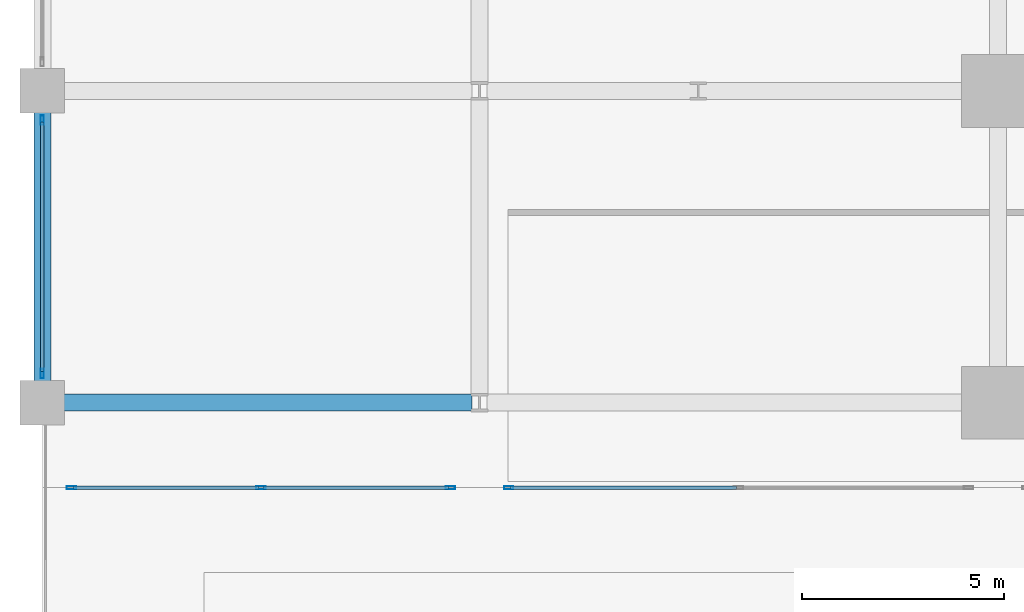
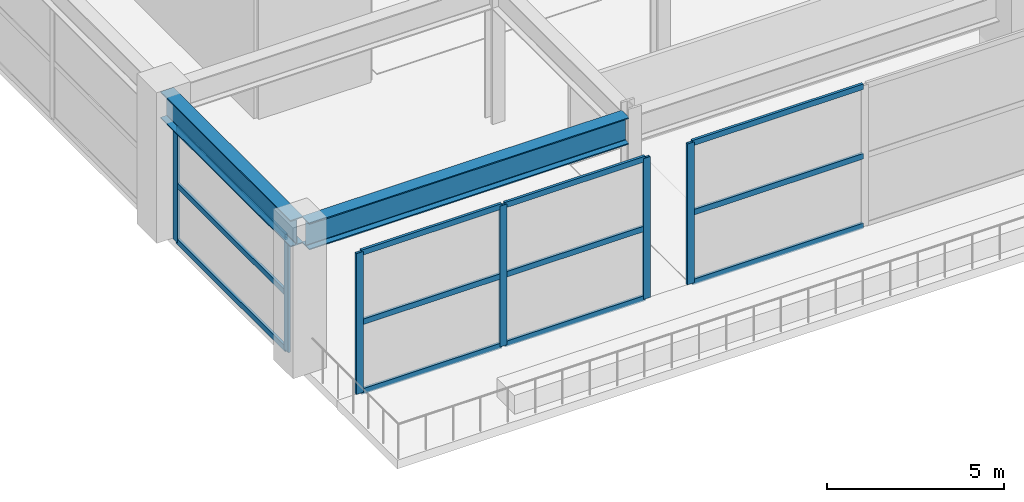
# One storey, part 3 of 35: 18 members, 2 beams, 3 elements without a shape of their own.
"""IFC4 building model written with IfcOpenShell, lengths in metres."""

from ifc_helpers import new_model, si_unit, direction, frame, origin, origin_2d, place, context, subcontext, project, spatial, hollow_rectangle, i_section, extrude, material, material_profile, profile_set, type_object, element, aggregate, save


model = new_model("IFC4")

# Units and contexts
model_context = context("Model", 3, precision=1e-05, world=origin(), true_north=direction((0.0, 1.0)))
body_context = subcontext(model_context, "Body", "Model", "MODEL_VIEW")
ifc_project = project(units=[si_unit("LENGTHUNIT", "METRE"), si_unit("AREAUNIT", "SQUARE_METRE"), si_unit("VOLUMEUNIT", "CUBIC_METRE"), si_unit("PLANEANGLEUNIT", "RADIAN"), si_unit("MASSUNIT", "GRAM", prefix="KILO")], contexts=[model_context])

# Site, building, storey
site_placement = place(None, origin())
site = spatial("IfcSite", under=ifc_project, at=site_placement, CompositionType="ELEMENT")
building_placement = place(site_placement, origin())
building = spatial("IfcBuilding", under=site, at=building_placement, Name="Kovane Verandah Tower", CompositionType="ELEMENT")
storey_placement = place(building_placement, frame((0.0, 0.0, 16.39990234375)))
storey = spatial("IfcBuildingStorey", under=building, at=storey_placement, Name="L03", CompositionType="ELEMENT", Elevation=16.39990234375)

# Beams
ifc_material_1 = material(Name="Steel S460", Category="steel")
ifc_material_profile_1 = material_profile(ifc_material_1, i_section(OverallWidth=0.42041015625, OverallDepth=0.9208984375, WebThickness=0.021484375, FlangeThickness=0.03662109375, FilletRadius=0.024169921875, at=origin_2d()), Name="UB914x419x388")
ifc_profile_set_1 = profile_set([ifc_material_profile_1], Name="Steel S460")
beam_type = type_object("IfcBeamType", Name="BM-UB914x388", PredefinedType="BEAM", material=ifc_profile_set_1)
beam_1_placement = place(storey_placement, frame((-1.820068359375, 10.800048828125, 4.439697265625), z_axis=(1.0, 0.0, 0.0), x_axis=(0.0, 1.0, 0.0)))
element("IfcBeam", 1, at=beam_1_placement, inside=storey, type_object=beam_type, Name="L03 Podium Garden Transfer Girder X01", PredefinedType="BEAM", context=body_context, shape_type="SweptSolid", body=[
    extrude(i_section(OverallWidth=0.42041015625, OverallDepth=0.9208984375, WebThickness=0.021484375, FlangeThickness=0.03662109375, FilletRadius=0.024169921875, at=origin_2d()), origin(), (0.0, 0.0, 1.0), 10.440185546875),
])
beam_2_placement = place(storey_placement, frame((-2.0, 10.97998046875, 4.439697265625), z_axis=(0.0, 1.0, 0.0), x_axis=(-1.0, 0.0, 0.0)))
element("IfcBeam", 2, at=beam_2_placement, inside=storey, type_object=beam_type, Name="L03 Podium Garden Transfer Girder Y24", PredefinedType="BEAM", context=body_context, shape_type="SweptSolid", body=[
    extrude(i_section(OverallWidth=0.42041015625, OverallDepth=0.9208984375, WebThickness=0.021484375, FlangeThickness=0.03662109375, FilletRadius=0.024169921875, at=origin_2d()), origin(), (0.0, 0.0, 1.0), 7.340087890625),
])

# Curtain wall, members
ifc_material_2 = material(Name="Champagne Anodised Aluminium Frame with Low-E Clear Laminated Glass", Category="aluminium")
curtain_wall_type = type_object("IfcCurtainWallType", Name="CW-SYS-01-POD", PredefinedType="NOTDEFINED", material=ifc_material_2)
curtain_wall_1_placement = place(storey_placement, origin())
curtain_wall_1 = element("IfcCurtainWall", 3, at=curtain_wall_1_placement, inside=storey, type_object=curtain_wall_type, Name="L03 South Podium Curtain Wall Bay 1.1", PredefinedType="NOTDEFINED")
ifc_material_3 = material(Name="Champagne Anodised Aluminium 6063-T6", Category="aluminium")
ifc_material_profile_2 = material_profile(ifc_material_3, hollow_rectangle(XDim=0.0849609375, YDim=0.22998046875, WallThickness=0.00390625, at=origin_2d()), Name="AL85x230x4")
ifc_profile_set_2 = profile_set([ifc_material_profile_2], Name="Champagne Anodised Aluminium 6063-T6")
member_type_1 = type_object("IfcMemberType", Name="CW-MUL-85x230", PredefinedType="MULLION", material=ifc_profile_set_2)
member_1_placement = place(storey_placement, frame((-1.280029296875, 8.699951171875, 0.02001953125), z_axis=(0.0, 0.0, 1.0), x_axis=(0.0, -1.0, 0.0)))
member_1 = element("IfcMember", 4, at=member_1_placement, type_object=member_type_1, Name="L03 South Podium Curtain Wall Bay 1.1 Mullion 1", PredefinedType="MULLION", context=body_context, shape_type="SweptSolid", body=[
    extrude(hollow_rectangle(XDim=0.0849609375, YDim=0.22998046875, WallThickness=0.00390625, at=origin_2d()), origin(), (0.0, 0.0, 1.0), 4.860107421875),
])
member_2_placement = place(storey_placement, frame((3.39990234375, 8.699951171875, 0.02001953125), z_axis=(0.0, 0.0, 1.0), x_axis=(0.0, -1.0, 0.0)))
member_2 = element("IfcMember", 5, at=member_2_placement, type_object=member_type_1, Name="L03 South Podium Curtain Wall Bay 1.1 Mullion 2", PredefinedType="MULLION", context=body_context, shape_type="SweptSolid", body=[
    extrude(hollow_rectangle(XDim=0.0849609375, YDim=0.22998046875, WallThickness=0.00390625, at=origin_2d()), origin(), (0.0, 0.0, 1.0), 4.860107421875),
])
member_3_placement = place(storey_placement, frame((8.080078125, 8.699951171875, 0.02001953125), z_axis=(0.0, 0.0, 1.0), x_axis=(0.0, -1.0, 0.0)))
member_3 = element("IfcMember", 6, at=member_3_placement, type_object=member_type_1, Name="L03 South Podium Curtain Wall Bay 1.1 Mullion 3", PredefinedType="MULLION", context=body_context, shape_type="SweptSolid", body=[
    extrude(hollow_rectangle(XDim=0.0849609375, YDim=0.22998046875, WallThickness=0.00390625, at=origin_2d()), origin(), (0.0, 0.0, 1.0), 4.860107421875),
])

# Curtain wall, member
curtain_wall_2_placement = place(storey_placement, origin())
curtain_wall_2 = element("IfcCurtainWall", 7, at=curtain_wall_2_placement, inside=storey, type_object=curtain_wall_type, Name="L03 South Podium Curtain Wall Bay 2.1", PredefinedType="NOTDEFINED")
member_4_placement = place(storey_placement, frame((9.52001953125, 8.699951171875, 0.02001953125), z_axis=(0.0, 0.0, 1.0), x_axis=(0.0, -1.0, 0.0)))
member_4 = element("IfcMember", 8, at=member_4_placement, type_object=member_type_1, Name="L03 South Podium Curtain Wall Bay 2.1 Mullion 1", PredefinedType="MULLION", context=body_context, shape_type="SweptSolid", body=[
    extrude(hollow_rectangle(XDim=0.0849609375, YDim=0.22998046875, WallThickness=0.00390625, at=origin_2d()), origin(), (0.0, 0.0, 1.0), 4.860107421875),
])

# Curtain wall, members
curtain_wall_3_placement = place(storey_placement, origin())
curtain_wall_3 = element("IfcCurtainWall", 9, at=curtain_wall_3_placement, inside=storey, type_object=curtain_wall_type, Name="L03 West Podium Curtain Wall Bay 2", PredefinedType="NOTDEFINED")
member_5_placement = place(storey_placement, frame((-2.0, 17.780029296875, 0.02001953125), z_axis=(0.0, 0.0, 1.0), x_axis=(-1.0, 0.0, 0.0)))
member_5 = element("IfcMember", 10, at=member_5_placement, type_object=member_type_1, Name="L03 West Podium Curtain Wall Bay 2 Mullion 1", PredefinedType="MULLION", context=body_context, shape_type="SweptSolid", body=[
    extrude(hollow_rectangle(XDim=0.0849609375, YDim=0.22998046875, WallThickness=0.00390625, at=origin_2d()), origin(), (0.0, 0.0, 1.0), 3.919189453125),
])
member_6_placement = place(storey_placement, frame((-2.0, 11.52001953125, 0.02001953125), z_axis=(0.0, 0.0, 1.0), x_axis=(-1.0, 0.0, 0.0)))
member_6 = element("IfcMember", 11, at=member_6_placement, type_object=member_type_1, Name="L03 West Podium Curtain Wall Bay 2 Mullion 2", PredefinedType="MULLION", context=body_context, shape_type="SweptSolid", body=[
    extrude(hollow_rectangle(XDim=0.0849609375, YDim=0.22998046875, WallThickness=0.00390625, at=origin_2d()), origin(), (0.0, 0.0, 1.0), 3.919189453125),
])

# Member
ifc_material_profile_3 = material_profile(ifc_material_3, hollow_rectangle(XDim=0.0849609375, YDim=0.18994140625, WallThickness=0.00390625, at=origin_2d()), Name="AL85x190x4")
ifc_profile_set_3 = profile_set([ifc_material_profile_3], Name="Champagne Anodised Aluminium 6063-T6")
member_type_2 = type_object("IfcMemberType", Name="CW-TRN-85x190", PredefinedType="USERDEFINED", material=ifc_profile_set_3)
member_7_placement = place(storey_placement, frame((-1.22998046875, 8.699951171875, 0.050048828125), z_axis=(1.0, 0.0, 0.0), x_axis=(0.0, 1.0, 0.0)))
member_7 = element("IfcMember", 12, at=member_7_placement, type_object=member_type_2, Name="L03 South Podium Curtain Wall Bay 1.1 Transom TB Bay 1", ObjectType="TRANSOM", PredefinedType="USERDEFINED", context=body_context, shape_type="SweptSolid", body=[
    extrude(hollow_rectangle(XDim=0.0849609375, YDim=0.18994140625, WallThickness=0.00390625, at=origin_2d()), origin(), (0.0, 0.0, 1.0), 4.580078125),
])

member_8_placement = place(storey_placement, frame((-1.22998046875, 8.699951171875, 2.4501953125), z_axis=(1.0, 0.0, 0.0), x_axis=(0.0, 1.0, 0.0)))
member_8 = element("IfcMember", 13, at=member_8_placement, type_object=member_type_2, Name="L03 South Podium Curtain Wall Bay 1.1 Transom TM Bay 1", ObjectType="TRANSOM", PredefinedType="USERDEFINED", context=body_context, shape_type="SweptSolid", body=[
    extrude(hollow_rectangle(XDim=0.0849609375, YDim=0.18994140625, WallThickness=0.00390625, at=origin_2d()), origin(), (0.0, 0.0, 1.0), 4.580078125),
])

member_9_placement = place(storey_placement, frame((-1.22998046875, 8.699951171875, 4.85009765625), z_axis=(1.0, 0.0, 0.0), x_axis=(0.0, 1.0, 0.0)))
member_9 = element("IfcMember", 14, at=member_9_placement, type_object=member_type_2, Name="L03 South Podium Curtain Wall Bay 1.1 Transom TT Bay 1", ObjectType="TRANSOM", PredefinedType="USERDEFINED", context=body_context, shape_type="SweptSolid", body=[
    extrude(hollow_rectangle(XDim=0.0849609375, YDim=0.18994140625, WallThickness=0.00390625, at=origin_2d()), origin(), (0.0, 0.0, 1.0), 4.580078125),
])

member_10_placement = place(storey_placement, frame((3.449951171875, 8.699951171875, 0.050048828125), z_axis=(1.0, 0.0, 0.0), x_axis=(0.0, 1.0, 0.0)))
member_10 = element("IfcMember", 15, at=member_10_placement, type_object=member_type_2, Name="L03 South Podium Curtain Wall Bay 1.1 Transom TB Bay 2", ObjectType="TRANSOM", PredefinedType="USERDEFINED", context=body_context, shape_type="SweptSolid", body=[
    extrude(hollow_rectangle(XDim=0.0849609375, YDim=0.18994140625, WallThickness=0.00390625, at=origin_2d()), origin(), (0.0, 0.0, 1.0), 4.580078125),
])

member_11_placement = place(storey_placement, frame((3.449951171875, 8.699951171875, 2.4501953125), z_axis=(1.0, 0.0, 0.0), x_axis=(0.0, 1.0, 0.0)))
member_11 = element("IfcMember", 16, at=member_11_placement, type_object=member_type_2, Name="L03 South Podium Curtain Wall Bay 1.1 Transom TM Bay 2", ObjectType="TRANSOM", PredefinedType="USERDEFINED", context=body_context, shape_type="SweptSolid", body=[
    extrude(hollow_rectangle(XDim=0.0849609375, YDim=0.18994140625, WallThickness=0.00390625, at=origin_2d()), origin(), (0.0, 0.0, 1.0), 4.580078125),
])

member_12_placement = place(storey_placement, frame((3.449951171875, 8.699951171875, 4.85009765625), z_axis=(1.0, 0.0, 0.0), x_axis=(0.0, 1.0, 0.0)))
member_12 = element("IfcMember", 17, at=member_12_placement, type_object=member_type_2, Name="L03 South Podium Curtain Wall Bay 1.1 Transom TT Bay 2", ObjectType="TRANSOM", PredefinedType="USERDEFINED", context=body_context, shape_type="SweptSolid", body=[
    extrude(hollow_rectangle(XDim=0.0849609375, YDim=0.18994140625, WallThickness=0.00390625, at=origin_2d()), origin(), (0.0, 0.0, 1.0), 4.580078125),
])

aggregate(curtain_wall_1, [member_1, member_2, member_3, member_7, member_8, member_9, member_10, member_11, member_12])

member_13_placement = place(storey_placement, frame((9.570068359375, 8.699951171875, 0.050048828125), z_axis=(1.0, 0.0, 0.0), x_axis=(0.0, 1.0, 0.0)))
member_13 = element("IfcMember", 18, at=member_13_placement, type_object=member_type_2, Name="L03 South Podium Curtain Wall Bay 2.1 Transom TB Bay 1", ObjectType="TRANSOM", PredefinedType="USERDEFINED", context=body_context, shape_type="SweptSolid", body=[
    extrude(hollow_rectangle(XDim=0.0849609375, YDim=0.18994140625, WallThickness=0.00390625, at=origin_2d()), origin(), (0.0, 0.0, 1.0), 5.579833984375),
])

member_14_placement = place(storey_placement, frame((9.570068359375, 8.699951171875, 2.4501953125), z_axis=(1.0, 0.0, 0.0), x_axis=(0.0, 1.0, 0.0)))
member_14 = element("IfcMember", 19, at=member_14_placement, type_object=member_type_2, Name="L03 South Podium Curtain Wall Bay 2.1 Transom TM Bay 1", ObjectType="TRANSOM", PredefinedType="USERDEFINED", context=body_context, shape_type="SweptSolid", body=[
    extrude(hollow_rectangle(XDim=0.0849609375, YDim=0.18994140625, WallThickness=0.00390625, at=origin_2d()), origin(), (0.0, 0.0, 1.0), 5.579833984375),
])

member_15_placement = place(storey_placement, frame((9.570068359375, 8.699951171875, 4.85009765625), z_axis=(1.0, 0.0, 0.0), x_axis=(0.0, 1.0, 0.0)))
member_15 = element("IfcMember", 20, at=member_15_placement, type_object=member_type_2, Name="L03 South Podium Curtain Wall Bay 2.1 Transom TT Bay 1", ObjectType="TRANSOM", PredefinedType="USERDEFINED", context=body_context, shape_type="SweptSolid", body=[
    extrude(hollow_rectangle(XDim=0.0849609375, YDim=0.18994140625, WallThickness=0.00390625, at=origin_2d()), origin(), (0.0, 0.0, 1.0), 5.579833984375),
])

aggregate(curtain_wall_2, [member_4, member_13, member_14, member_15])

member_16_placement = place(storey_placement, frame((-2.0, 17.72998046875, 0.050048828125), z_axis=(0.0, -1.0, 0.0), x_axis=(1.0, 0.0, 0.0)))
member_16 = element("IfcMember", 21, at=member_16_placement, type_object=member_type_2, Name="L03 West Podium Curtain Wall Bay 2 Transom TB Bay 1", ObjectType="TRANSOM", PredefinedType="USERDEFINED", context=body_context, shape_type="SweptSolid", body=[
    extrude(hollow_rectangle(XDim=0.0849609375, YDim=0.18994140625, WallThickness=0.00390625, at=origin_2d()), origin(), (0.0, 0.0, 1.0), 6.159912109375),
])

member_17_placement = place(storey_placement, frame((-2.0, 17.72998046875, 1.9794921875), z_axis=(0.0, -1.0, 0.0), x_axis=(1.0, 0.0, 0.0)))
member_17 = element("IfcMember", 22, at=member_17_placement, type_object=member_type_2, Name="L03 West Podium Curtain Wall Bay 2 Transom TM Bay 1", ObjectType="TRANSOM", PredefinedType="USERDEFINED", context=body_context, shape_type="SweptSolid", body=[
    extrude(hollow_rectangle(XDim=0.0849609375, YDim=0.18994140625, WallThickness=0.00390625, at=origin_2d()), origin(), (0.0, 0.0, 1.0), 6.159912109375),
])

member_18_placement = place(storey_placement, frame((-2.0, 17.72998046875, 3.9091796875), z_axis=(0.0, -1.0, 0.0), x_axis=(1.0, 0.0, 0.0)))
member_18 = element("IfcMember", 23, at=member_18_placement, type_object=member_type_2, Name="L03 West Podium Curtain Wall Bay 2 Transom TT Bay 1", ObjectType="TRANSOM", PredefinedType="USERDEFINED", context=body_context, shape_type="SweptSolid", body=[
    extrude(hollow_rectangle(XDim=0.0849609375, YDim=0.18994140625, WallThickness=0.00390625, at=origin_2d()), origin(), (0.0, 0.0, 1.0), 6.159912109375),
])

aggregate(curtain_wall_3, [member_5, member_6, member_16, member_17, member_18])

save(model, "model.ifc")
